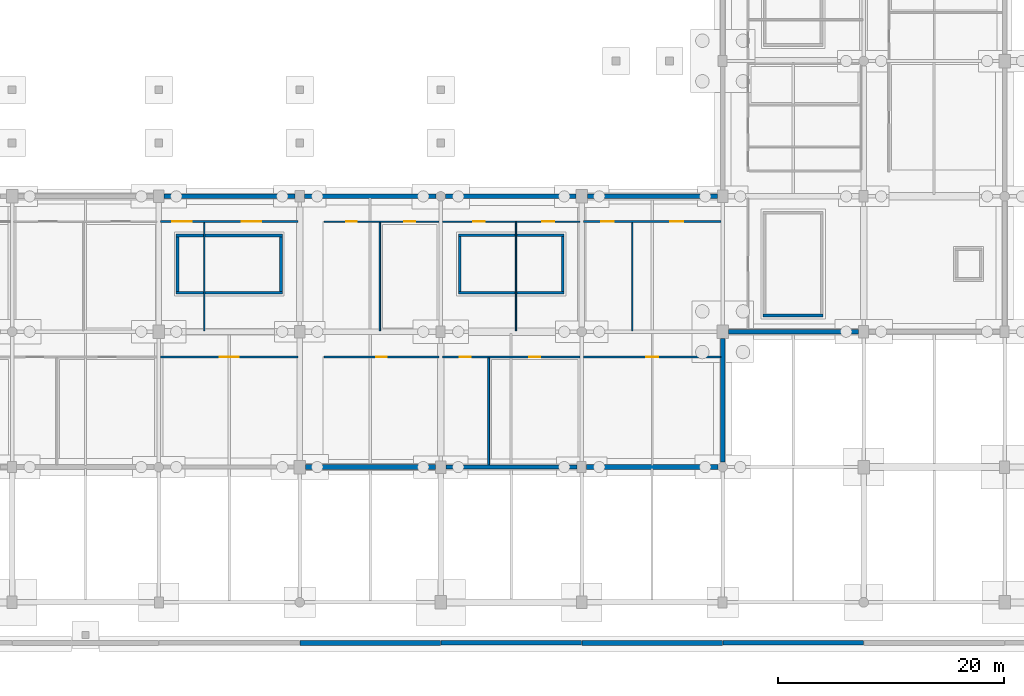
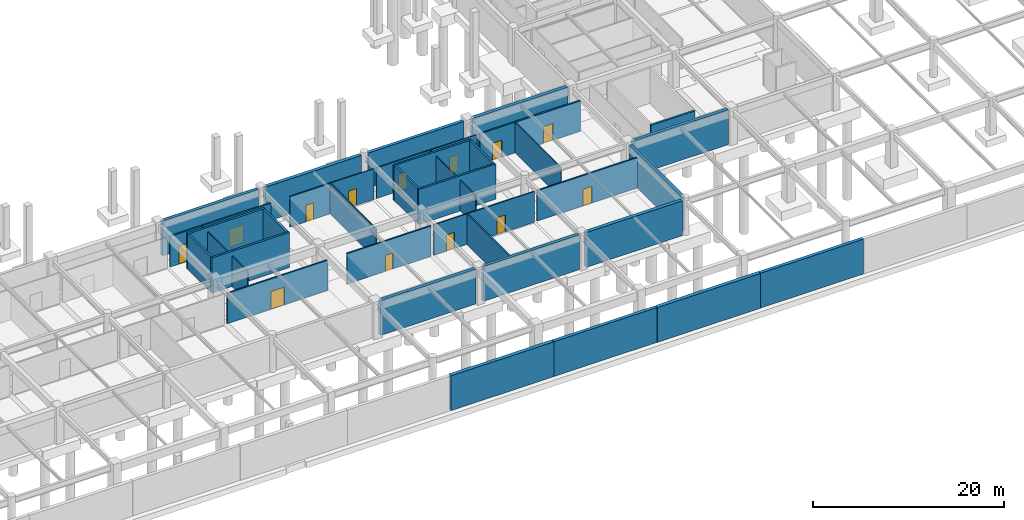
# One storey, part 30 of 56: 35 walls, 13 doors, 13 openings.
"""IFC4 building model written with IfcOpenShell, lengths in metres."""

from ifc_helpers import new_model, si_unit, direction, frame, frame_2d, origin, place, context, subcontext, project, spatial, rectangle, extrude, material, layer, layer_set, type_object, element, fill, save


model = new_model("IFC4")

# Units and contexts
model_context = context("Model", 3, precision=1e-05, world=origin(), true_north=direction((0.0, 1.0)))
body_context = subcontext(model_context, "Body", "Model", "MODEL_VIEW")
ifc_project = project(units=[si_unit("LENGTHUNIT", "METRE"), si_unit("AREAUNIT", "SQUARE_METRE"), si_unit("VOLUMEUNIT", "CUBIC_METRE"), si_unit("PLANEANGLEUNIT", "RADIAN"), si_unit("MASSUNIT", "GRAM", prefix="KILO")], contexts=[model_context])

# Site, building, storey
site_placement = place(None, origin())
site = spatial("IfcSite", under=ifc_project, at=site_placement, CompositionType="ELEMENT")
building_placement = place(site_placement, origin())
building = spatial("IfcBuilding", under=site, at=building_placement, Name="Kazenohara Klinker Stadium", CompositionType="ELEMENT")
storey_placement = place(building_placement, frame((0.0, 0.0, -4.800048828125)))
storey = spatial("IfcBuildingStorey", under=building, at=storey_placement, Name="B01", CompositionType="ELEMENT", Elevation=-4.800048828125)

# Walls
ifc_material_1 = material(Name="Concrete C40/50", Category="concrete")
ifc_layer_1 = layer(ifc_material_1, 0.39990234375)
ifc_layer_set_1 = layer_set([ifc_layer_1], Name="Concrete C40/50")
wall_type_1 = type_object("IfcWallType", Name="WAL-B01-PLINTH400", PredefinedType="USERDEFINED", material=ifc_layer_set_1)
for number, where, z_axis, x_axis, name in (
    (1, (150.02001953125, -3.580078125, 0.0), (0.0, 0.0, 1.0), (1.0, 0.0, 0.0), "Street plinth retaining wall RW04 South-13"),
    (2, (175.02001953125, -3.580078125, 0.0), (0.0, 0.0, 1.0), (1.0, 0.0, 0.0), "Street plinth retaining wall RW04 South-15"),
):
    element("IfcWall", number, at=place(storey_placement, frame(where, z_axis=z_axis, x_axis=x_axis)), inside=storey, type_object=wall_type_1, Name=name, ObjectType="RETAINING WALL", PredefinedType="USERDEFINED", context=body_context, shape_type="SweptSolid", body=[
        extrude(rectangle(XDim=12.4599609375, YDim=0.39990234375, at=frame_2d((6.22998046875, 0.0))), origin(), (0.0, 0.0, 1.0), 4.4599609375),
    ])
ifc_layer_2 = layer(ifc_material_1, 0.43994140625)
ifc_layer_set_2 = layer_set([ifc_layer_2], Name="Concrete C40/50")
wall_type_2 = type_object("IfcWallType", Name="WAL-B01-PLINTH440", PredefinedType="USERDEFINED", material=ifc_layer_set_2)
for number, where, z_axis, x_axis, name in (
    (3, (137.52001953125, -3.580078125, 0.0), (0.0, 0.0, 1.0), (1.0, 0.0, 0.0), "Street plinth retaining wall RW03 South-12"),
    (4, (162.52001953125, -3.580078125, 0.0), (0.0, 0.0, 1.0), (1.0, 0.0, 0.0), "Street plinth retaining wall RW03 South-14"),
):
    element("IfcWall", number, at=place(storey_placement, frame(where, z_axis=z_axis, x_axis=x_axis)), inside=storey, type_object=wall_type_2, Name=name, ObjectType="RETAINING WALL", PredefinedType="USERDEFINED", context=body_context, shape_type="SweptSolid", body=[
        extrude(rectangle(XDim=12.4599609375, YDim=0.43994140625, at=frame_2d((6.22998046875, 0.0))), origin(), (0.0, 0.0, 1.0), 4.4599609375),
    ])
ifc_layer_3 = layer(ifc_material_1, 0.3798828125)
ifc_layer_set_3 = layer_set([ifc_layer_3], Name="Concrete C40/50")
wall_type_3 = type_object("IfcWallType", Name="WAL-B01-RET380", PredefinedType="STANDARD", material=ifc_layer_set_3)
for number, where, z_axis, x_axis, name in (
    (5, (125.4541015625, 36.0, 0.0), (0.0, 0.0, 1.0), (1.0, 0.0, 0.0), "Basement perimeter retaining wall RW02 X-10-03"),
    (6, (150.4541015625, 12.0, 0.0), (0.0, 0.0, 1.0), (1.0, 0.0, 0.0), "Basement perimeter retaining wall RW02 X-12-01"),
):
    element("IfcWall", number, at=place(storey_placement, frame(where, z_axis=z_axis, x_axis=x_axis)), inside=storey, type_object=wall_type_3, Name=name, PredefinedType="STANDARD", context=body_context, shape_type="SweptSolid", body=[
        extrude(rectangle(XDim=11.641845703125, YDim=0.3798828125, at=frame_2d((5.82080078125, 0.0))), origin(), (0.0, 0.0, 1.0), 4.4599609375),
    ])
wall_1_placement = place(storey_placement, frame((150.428955078125, 36.0, 0.0), z_axis=(0.0, 0.0, 1.0), x_axis=(1.0, 0.0, 0.0)))
element("IfcWall", 7, at=wall_1_placement, inside=storey, type_object=wall_type_3, Name="Basement perimeter retaining wall RW02 X-12-03", PredefinedType="STANDARD", context=body_context, shape_type="SweptSolid", body=[
    extrude(rectangle(XDim=11.567138671875, YDim=0.3798828125, at=frame_2d((5.78369140625, 0.0))), origin(), (0.0, 0.0, 1.0), 4.4599609375),
])
wall_2_placement = place(storey_placement, frame((175.0, 12.428955078125, 0.0), z_axis=(0.0, 0.0, 1.0), x_axis=(0.0, 1.0, 0.0)))
element("IfcWall", 8, at=wall_2_placement, inside=storey, type_object=wall_type_3, Name="Basement perimeter retaining wall RW02 Y-14-01", PredefinedType="STANDARD", context=body_context, shape_type="SweptSolid", body=[
    extrude(rectangle(XDim=10.967041015625, YDim=0.3798828125, at=frame_2d((5.4833984375, 0.0))), origin(), (0.0, 0.0, 1.0), 4.4599609375),
])
ifc_layer_4 = layer(ifc_material_1, 0.419921875)
ifc_layer_set_4 = layer_set([ifc_layer_4], Name="Concrete C40/50")
wall_type_4 = type_object("IfcWallType", Name="WAL-B01-RET420", PredefinedType="STANDARD", material=ifc_layer_set_4)
wall_3_placement = place(storey_placement, frame((138.00390625, 12.0, 0.0), z_axis=(0.0, 0.0, 1.0), x_axis=(1.0, 0.0, 0.0)))
element("IfcWall", 9, at=wall_3_placement, inside=storey, type_object=wall_type_4, Name="Basement perimeter retaining wall RW01 X-11-01", PredefinedType="STANDARD", context=body_context, shape_type="SweptSolid", body=[
    extrude(rectangle(XDim=11.5419921875, YDim=0.419921875, at=frame_2d((5.77099609375, 0.0))), origin(), (0.0, 0.0, 1.0), 4.4599609375),
])
for number, where, z_axis, x_axis, name in (
    (10, (137.904052734375, 36.0, 0.0), (0.0, 0.0, 1.0), (1.0, 0.0, 0.0), "Basement perimeter retaining wall RW01 X-11-03"),
    (11, (162.904052734375, 12.0, 0.0), (0.0, 0.0, 1.0), (1.0, 0.0, 0.0), "Basement perimeter retaining wall RW01 X-13-01"),
):
    element("IfcWall", number, at=place(storey_placement, frame(where, z_axis=z_axis, x_axis=x_axis)), inside=storey, type_object=wall_type_4, Name=name, PredefinedType="STANDARD", context=body_context, shape_type="SweptSolid", body=[
        extrude(rectangle(XDim=11.6669921875, YDim=0.419921875, at=frame_2d((5.83349609375, 0.0))), origin(), (0.0, 0.0, 1.0), 4.4599609375),
    ])
for number, where, z_axis, x_axis, name in (
    (12, (163.00390625, 36.0, 0.0), (0.0, 0.0, 1.0), (1.0, 0.0, 0.0), "Basement perimeter retaining wall RW01 X-13-03"),
    (13, (175.50390625, 24.0, 0.0), (0.0, 0.0, 1.0), (1.0, 0.0, 0.0), "Basement perimeter retaining wall RW01 X-14-02"),
):
    element("IfcWall", number, at=place(storey_placement, frame(where, z_axis=z_axis, x_axis=x_axis)), inside=storey, type_object=wall_type_4, Name=name, PredefinedType="STANDARD", context=body_context, shape_type="SweptSolid", body=[
        extrude(rectangle(XDim=11.5419921875, YDim=0.419921875, at=frame_2d((5.77099609375, 0.0))), origin(), (0.0, 0.0, 1.0), 4.4599609375),
    ])
ifc_layer_5 = layer(ifc_material_1, 0.22998046875)
ifc_layer_set_5 = layer_set([ifc_layer_5], Name="Concrete C40/50")
wall_type_5 = type_object("IfcWallType", Name="WAL-CORE-230", PredefinedType="SHEAR", material=ifc_layer_set_5)
wall_4_placement = place(storey_placement, frame((178.590087890625, 25.43505859375, 0.0), z_axis=(0.0, 0.0, 1.0), x_axis=(1.0, 0.0, 0.0)))
element("IfcWall", 14, at=wall_4_placement, inside=storey, type_object=wall_type_5, Name="Stairwell shear wall ST16 B01 South", PredefinedType="SHEAR", context=body_context, shape_type="SweptSolid", body=[
    extrude(rectangle(XDim=5.31982421875, YDim=0.22998046875, at=frame_2d((2.659912109375, 0.0))), origin(), (0.0, 0.0, 1.0), 4.5),
])
for number, where, z_axis, x_axis, name in (
    (15, (151.570068359375, 27.455078125, 0.0), (0.0, 0.0, 1.0), (1.0, 0.0, 0.0), "Stairwell shear wall ST28 B01 South"),
    (16, (151.570068359375, 32.544921875, 0.0), (0.0, 0.0, 1.0), (1.0, 0.0, 0.0), "Stairwell shear wall ST28 B01 North"),
):
    element("IfcWall", number, at=place(storey_placement, frame(where, z_axis=z_axis, x_axis=x_axis)), inside=storey, type_object=wall_type_5, Name=name, PredefinedType="SHEAR", context=body_context, shape_type="SweptSolid", body=[
        extrude(rectangle(XDim=9.35986328125, YDim=0.22998046875, at=frame_2d((4.679931640625, 0.0))), origin(), (0.0, 0.0, 1.0), 4.5),
    ])
for number, where, z_axis, x_axis, name in (
    (17, (151.68505859375, 27.570068359375, 0.0), (0.0, 0.0, 1.0), (0.0, 1.0, 0.0), "Stairwell shear wall ST28 B01 West"),
    (18, (160.81494140625, 27.570068359375, 0.0), (0.0, 0.0, 1.0), (0.0, 1.0, 0.0), "Stairwell shear wall ST28 B01 East"),
):
    element("IfcWall", number, at=place(storey_placement, frame(where, z_axis=z_axis, x_axis=x_axis)), inside=storey, type_object=wall_type_5, Name=name, PredefinedType="SHEAR", context=body_context, shape_type="SweptSolid", body=[
        extrude(rectangle(XDim=4.85986328125, YDim=0.22998046875, at=frame_2d((2.429931640625, 0.0))), origin(), (0.0, 0.0, 1.0), 4.5),
    ])
ifc_layer_6 = layer(ifc_material_1, 0.25)
ifc_layer_set_6 = layer_set([ifc_layer_6], Name="Concrete C40/50")
wall_type_6 = type_object("IfcWallType", Name="WAL-CORE-250", PredefinedType="SHEAR", material=ifc_layer_set_6)
for number, where, z_axis, x_axis, name in (
    (19, (126.550048828125, 27.455078125, 0.0), (0.0, 0.0, 1.0), (1.0, 0.0, 0.0), "Stairwell shear wall ST27 B01 South"),
    (20, (126.550048828125, 32.544921875, 0.0), (0.0, 0.0, 1.0), (1.0, 0.0, 0.0), "Stairwell shear wall ST27 B01 North"),
):
    element("IfcWall", number, at=place(storey_placement, frame(where, z_axis=z_axis, x_axis=x_axis)), inside=storey, type_object=wall_type_6, Name=name, PredefinedType="SHEAR", context=body_context, shape_type="SweptSolid", body=[
        extrude(rectangle(XDim=9.39990234375, YDim=0.25, at=frame_2d((4.699951171875, 0.0))), origin(), (0.0, 0.0, 1.0), 4.5),
    ])
for number, where, z_axis, x_axis, name in (
    (21, (126.675048828125, 27.580078125, 0.0), (0.0, 0.0, 1.0), (0.0, 1.0, 0.0), "Stairwell shear wall ST27 B01 West"),
    (22, (135.824951171875, 27.580078125, 0.0), (0.0, 0.0, 1.0), (0.0, 1.0, 0.0), "Stairwell shear wall ST27 B01 East"),
):
    element("IfcWall", number, at=place(storey_placement, frame(where, z_axis=z_axis, x_axis=x_axis)), inside=storey, type_object=wall_type_6, Name=name, PredefinedType="SHEAR", context=body_context, shape_type="SweptSolid", body=[
        extrude(rectangle(XDim=4.83984375, YDim=0.25, at=frame_2d((2.419921875, 0.0))), origin(), (0.0, 0.0, 1.0), 4.5),
    ])
ifc_material_2 = material(Name="Fire-rated gypsum board on acoustic studs", Category="gypsum")
ifc_layer_7 = layer(ifc_material_2, 0.110107421875)
ifc_layer_set_7 = layer_set([ifc_layer_7], Name="Fire-rated gypsum board on acoustic studs")
wall_type_7 = type_object("IfcWallType", Name="WAL-INT-P110", PredefinedType="PARTITIONING", material=ifc_layer_set_7)
wall_5_placement = place(storey_placement, frame((129.033203125, 24.080078125, 0.0), z_axis=(0.0, 0.0, 1.0), x_axis=(0.0, 1.0, 0.0)))
element("IfcWall", 23, at=wall_5_placement, inside=storey, type_object=wall_type_7, Name="Interior partition wall PT01 SPC-B01-10-02-1-2", PredefinedType="PARTITIONING", context=body_context, shape_type="SweptSolid", body=[
    extrude(rectangle(XDim=9.579833984375, YDim=0.110107421875, at=frame_2d((4.7900390625, 0.0))), origin(), (0.0, 0.0, 1.0), 3.920166015625),
])

# Wall, openings, doors
wall_6_placement = place(storey_placement, frame((139.669921875, 33.760009765625, 0.0), z_axis=(0.0, 0.0, 1.0), x_axis=(1.0, 0.0, 0.0)))
wall_6 = element("IfcWall", 24, at=wall_6_placement, inside=storey, type_object=wall_type_7, Name="Interior partition wall PT01 SPC-B01-11-02-1-1", PredefinedType="PARTITIONING", context=body_context, shape_type="SweptSolid", body=[
    extrude(rectangle(XDim=10.170166015625, YDim=0.110107421875, at=frame_2d((5.0849609375, 0.0))), origin(), (0.0, 0.0, 1.0), 3.920166015625),
])
opening_1_placement = place(wall_6_placement, frame((2.88623046875, 0.0, 0.0), z_axis=(0.0, 0.0, 1.0), x_axis=(-1.0, 0.0, 0.0)))
opening_1 = element("IfcOpeningElement", 25, at=opening_1_placement, cuts=wall_6, Name="Opening ID02", PredefinedType="OPENING", context=body_context, shape_type="SweptSolid", body=[
    extrude(rectangle(XDim=0.919921875, YDim=2.10009765625, at=frame_2d((0.4599609375, 1.050048828125))), frame((0.0, 0.06494140625, 0.0), z_axis=(0.0, -1.0, 0.0), x_axis=(1.0, 0.0, 0.0)), (0.0, 0.0, 1.0), 0.130126953125),
])
opening_2_placement = place(wall_6_placement, frame((8.066162109375, 0.0, 0.0), z_axis=(0.0, 0.0, 1.0), x_axis=(-1.0, 0.0, 0.0)))
opening_2 = element("IfcOpeningElement", 26, at=opening_2_placement, cuts=wall_6, Name="Opening ID03", PredefinedType="OPENING", context=body_context, shape_type="SweptSolid", body=[
    extrude(rectangle(XDim=0.949951171875, YDim=2.1201171875, at=frame_2d((0.47509765625, 1.06005859375))), frame((0.0, 0.06494140625, 0.0), z_axis=(0.0, -1.0, 0.0), x_axis=(1.0, 0.0, 0.0)), (0.0, 0.0, 1.0), 0.130126953125),
])
ifc_material_3 = material(Name="Solid-core Hokkaido oak fire door", Category="wood")
door_type_1 = type_object("IfcDoorType", Name="DR-INT-02", OperationType="NOTDEFINED", PredefinedType="DOOR", material=ifc_material_3)
door_1_placement = place(opening_1_placement, origin())
door_1 = element("IfcDoor", 27, at=door_1_placement, inside=storey, type_object=door_type_1, Name="Interior door ID02 Indoor Turf Sprint Training Arena B01-1102A", OperationType="SINGLE_SWING_LEFT", OverallHeight=2.10009765625, OverallWidth=0.919921875, PredefinedType="DOOR", context=body_context, shape_type="SweptSolid", body=[
    extrude(rectangle(XDim=0.919921875, YDim=2.10009765625, at=frame_2d((0.4599609375, 1.050048828125))), frame((0.0, 0.02490234375, 0.0), z_axis=(0.0, -1.0, 0.0), x_axis=(1.0, 0.0, 0.0)), (0.0, 0.0, 1.0), 0.050048828125),
])
fill(opening_1, door_1)
door_type_2 = type_object("IfcDoorType", Name="DR-INT-03", OperationType="NOTDEFINED", PredefinedType="DOOR", material=ifc_material_3)
door_2_placement = place(opening_2_placement, origin())
door_2 = element("IfcDoor", 28, at=door_2_placement, inside=storey, type_object=door_type_2, Name="Interior door ID03 Match Officials Dressing Room B01-1102B", OperationType="SINGLE_SWING_RIGHT", OverallHeight=2.1201171875, OverallWidth=0.949951171875, PredefinedType="DOOR", context=body_context, shape_type="SweptSolid", body=[
    extrude(rectangle(XDim=0.949951171875, YDim=2.1201171875, at=frame_2d((0.47509765625, 1.06005859375))), frame((0.0, 0.02490234375, 0.0), z_axis=(0.0, -1.0, 0.0), x_axis=(1.0, 0.0, 0.0)), (0.0, 0.0, 1.0), 0.050048828125),
])
fill(opening_2, door_2)

wall_7_placement = place(storey_placement, frame((150.159912109375, 33.760009765625, 0.0), z_axis=(0.0, 0.0, 1.0), x_axis=(1.0, 0.0, 0.0)))
wall_7 = element("IfcWall", 29, at=wall_7_placement, inside=storey, type_object=wall_type_7, Name="Interior partition wall PT01 SPC-B01-12-02-1-1", PredefinedType="PARTITIONING", context=body_context, shape_type="SweptSolid", body=[
    extrude(rectangle(XDim=12.18017578125, YDim=0.110107421875, at=frame_2d((6.090087890625, 0.0))), origin(), (0.0, 0.0, 1.0), 3.920166015625),
])
opening_3_placement = place(wall_7_placement, frame((3.733154296875, 0.0, 0.0), z_axis=(0.0, 0.0, 1.0), x_axis=(-1.0, 0.0, 0.0)))
opening_3 = element("IfcOpeningElement", 30, at=opening_3_placement, cuts=wall_7, Name="Opening ID06", PredefinedType="OPENING", context=body_context, shape_type="SweptSolid", body=[
    extrude(rectangle(XDim=1.030029296875, YDim=2.1201171875, at=frame_2d((0.51513671875, 1.06005859375))), frame((0.0, 0.06494140625, 0.0), z_axis=(0.0, -1.0, 0.0), x_axis=(1.0, 0.0, 0.0)), (0.0, 0.0, 1.0), 0.130126953125),
])
opening_4_placement = place(wall_7_placement, frame((9.918212890625, 0.0, 0.0), z_axis=(0.0, 0.0, 1.0), x_axis=(-1.0, 0.0, 0.0)))
opening_4 = element("IfcOpeningElement", 31, at=opening_4_placement, cuts=wall_7, Name="Opening ID07", PredefinedType="OPENING", context=body_context, shape_type="SweptSolid", body=[
    extrude(rectangle(XDim=1.06005859375, YDim=2.14990234375, at=frame_2d((0.530029296875, 1.074951171875))), frame((0.0, 0.06494140625, 0.0), z_axis=(0.0, -1.0, 0.0), x_axis=(1.0, 0.0, 0.0)), (0.0, 0.0, 1.0), 0.130126953125),
])
door_type_3 = type_object("IfcDoorType", Name="DR-INT-06", OperationType="NOTDEFINED", PredefinedType="DOOR", material=ifc_material_3)
door_3_placement = place(opening_3_placement, origin())
door_3 = element("IfcDoor", 32, at=door_3_placement, inside=storey, type_object=door_type_3, Name="Interior door ID06 Visiting-Club Athlete Changing Room B01-1202A", OperationType="SINGLE_SWING_LEFT", OverallHeight=2.1201171875, OverallWidth=1.030029296875, PredefinedType="DOOR", context=body_context, shape_type="SweptSolid", body=[
    extrude(rectangle(XDim=1.030029296875, YDim=2.1201171875, at=frame_2d((0.51513671875, 1.06005859375))), frame((0.0, 0.02490234375, 0.0), z_axis=(0.0, -1.0, 0.0), x_axis=(1.0, 0.0, 0.0)), (0.0, 0.0, 1.0), 0.050048828125),
])
fill(opening_3, door_3)
door_type_4 = type_object("IfcDoorType", Name="DR-INT-07", OperationType="NOTDEFINED", PredefinedType="DOOR", material=ifc_material_3)
door_4_placement = place(opening_4_placement, origin())
door_4 = element("IfcDoor", 33, at=door_4_placement, inside=storey, type_object=door_type_4, Name="Interior door ID07 Sports Hydrotherapy Recovery Clinic B01-1202B", OperationType="SINGLE_SWING_RIGHT", OverallHeight=2.14990234375, OverallWidth=1.06005859375, PredefinedType="DOOR", context=body_context, shape_type="SweptSolid", body=[
    extrude(rectangle(XDim=1.06005859375, YDim=2.14990234375, at=frame_2d((0.530029296875, 1.074951171875))), frame((0.0, 0.02490234375, 0.0), z_axis=(0.0, -1.0, 0.0), x_axis=(1.0, 0.0, 0.0)), (0.0, 0.0, 1.0), 0.050048828125),
])
fill(opening_4, door_4)

# Walls
wall_8_placement = place(storey_placement, frame((166.9716796875, 24.080078125, 0.0), z_axis=(0.0, 0.0, 1.0), x_axis=(0.0, 1.0, 0.0)))
element("IfcWall", 34, at=wall_8_placement, inside=storey, type_object=wall_type_7, Name="Interior partition wall PT01 SPC-B01-13-02-1-2", PredefinedType="PARTITIONING", context=body_context, shape_type="SweptSolid", body=[
    extrude(rectangle(XDim=9.579833984375, YDim=0.110107421875, at=frame_2d((4.7900390625, 0.0))), origin(), (0.0, 0.0, 1.0), 3.920166015625),
])
ifc_layer_8 = layer(ifc_material_2, 0.1201171875)
ifc_layer_set_8 = layer_set([ifc_layer_8], Name="Fire-rated gypsum board on acoustic studs")
wall_type_8 = type_object("IfcWallType", Name="WAL-INT-P120", PredefinedType="PARTITIONING", material=ifc_layer_set_8)
for number, where, z_axis, x_axis, name in (
    (35, (144.602294921875, 24.080078125, 0.0), (0.0, 0.0, 1.0), (0.0, 1.0, 0.0), "Interior partition wall PT02 SPC-B01-11-02-1-2"),
    (36, (156.67626953125, 24.080078125, 0.0), (0.0, 0.0, 1.0), (0.0, 1.0, 0.0), "Interior partition wall PT02 SPC-B01-12-02-1-2"),
):
    element("IfcWall", number, at=place(storey_placement, frame(where, z_axis=z_axis, x_axis=x_axis)), inside=storey, type_object=wall_type_8, Name=name, PredefinedType="PARTITIONING", context=body_context, shape_type="SweptSolid", body=[
        extrude(rectangle(XDim=9.619873046875, YDim=0.1201171875, at=frame_2d((4.81005859375, 0.0))), origin(), (0.0, 0.0, 1.0), 3.920166015625),
    ])

# Wall, opening, door
ifc_layer_9 = layer(ifc_material_2, 0.14990234375)
ifc_layer_set_9 = layer_set([ifc_layer_9], Name="Fire-rated gypsum board on acoustic studs")
wall_type_9 = type_object("IfcWallType", Name="WAL-INT-P150", PredefinedType="PARTITIONING", material=ifc_layer_set_9)
wall_9_placement = place(storey_placement, frame((125.159912109375, 21.760009765625, 0.0), z_axis=(0.0, 0.0, 1.0), x_axis=(1.0, 0.0, 0.0)))
wall_9 = element("IfcWall", 37, at=wall_9_placement, inside=storey, type_object=wall_type_9, Name="Interior partition wall PT04 SPC-B01-10-01-1-1", PredefinedType="PARTITIONING", context=body_context, shape_type="SweptSolid", body=[
    extrude(rectangle(XDim=12.18017578125, YDim=0.14990234375, at=frame_2d((6.090087890625, 0.0))), origin(), (0.0, 0.0, 1.0), 3.920166015625),
])
opening_5_placement = place(wall_9_placement, frame((6.914794921875, 0.0, 0.0), z_axis=(0.0, 0.0, 1.0), x_axis=(-1.0, 0.0, 0.0)))
opening_5 = element("IfcOpeningElement", 38, at=opening_5_placement, cuts=wall_9, Name="Opening ID24", PredefinedType="OPENING", context=body_context, shape_type="SweptSolid", body=[
    extrude(rectangle(XDim=1.64990234375, YDim=2.280029296875, at=frame_2d((0.824951171875, 1.14013671875))), frame((0.0, 0.0849609375, 0.0), z_axis=(0.0, -1.0, 0.0), x_axis=(1.0, 0.0, 0.0)), (0.0, 0.0, 1.0), 0.169921875),
])
ifc_material_4 = material(Name="Painted steel plant fire door", Category="steel")
door_type_5 = type_object("IfcDoorType", Name="DR-INT-24", OperationType="NOTDEFINED", PredefinedType="DOOR", material=ifc_material_4)
door_5_placement = place(opening_5_placement, origin())
door_5 = element("IfcDoor", 39, at=door_5_placement, inside=storey, type_object=door_type_5, Name="Interior door ID24 First-Team Athlete Changing Room B01-1001A", OperationType="SINGLE_SWING_LEFT", OverallHeight=2.280029296875, OverallWidth=1.64990234375, PredefinedType="DOOR", context=body_context, shape_type="SweptSolid", body=[
    extrude(rectangle(XDim=1.64990234375, YDim=2.280029296875, at=frame_2d((0.824951171875, 1.14013671875))), frame((0.0, 0.02490234375, 0.0), z_axis=(0.0, -1.0, 0.0), x_axis=(1.0, 0.0, 0.0)), (0.0, 0.0, 1.0), 0.050048828125),
])
fill(opening_5, door_5)

wall_10_placement = place(storey_placement, frame((139.669921875, 21.760009765625, 0.0), z_axis=(0.0, 0.0, 1.0), x_axis=(1.0, 0.0, 0.0)))
wall_10 = element("IfcWall", 40, at=wall_10_placement, inside=storey, type_object=wall_type_9, Name="Interior partition wall PT04 SPC-B01-11-01-1-1", PredefinedType="PARTITIONING", context=body_context, shape_type="SweptSolid", body=[
    extrude(rectangle(XDim=10.170166015625, YDim=0.14990234375, at=frame_2d((5.0849609375, 0.0))), origin(), (0.0, 0.0, 1.0), 3.920166015625),
])
opening_6_placement = place(wall_10_placement, frame((5.534912109375, 0.0, 0.0), z_axis=(0.0, 0.0, 1.0), x_axis=(-1.0, 0.0, 0.0)))
opening_6 = element("IfcOpeningElement", 41, at=opening_6_placement, cuts=wall_10, Name="Opening ID01", PredefinedType="OPENING", context=body_context, shape_type="SweptSolid", body=[
    extrude(rectangle(XDim=0.89990234375, YDim=2.06005859375, at=frame_2d((0.449951171875, 1.030029296875))), frame((0.0, 0.0849609375, 0.0), z_axis=(0.0, -1.0, 0.0), x_axis=(1.0, 0.0, 0.0)), (0.0, 0.0, 1.0), 0.169921875),
])
door_type_6 = type_object("IfcDoorType", Name="DR-INT-01", OperationType="NOTDEFINED", PredefinedType="DOOR", material=ifc_material_3)
door_6_placement = place(opening_6_placement, origin())
door_6 = element("IfcDoor", 42, at=door_6_placement, inside=storey, type_object=door_type_6, Name="Interior door ID01 Mixed Zone Broadcast Interview Studio B01-1101A", OperationType="SINGLE_SWING_RIGHT", OverallHeight=2.06005859375, OverallWidth=0.89990234375, PredefinedType="DOOR", context=body_context, shape_type="SweptSolid", body=[
    extrude(rectangle(XDim=0.89990234375, YDim=2.06005859375, at=frame_2d((0.449951171875, 1.030029296875))), frame((0.0, 0.02490234375, 0.0), z_axis=(0.0, -1.0, 0.0), x_axis=(1.0, 0.0, 0.0)), (0.0, 0.0, 1.0), 0.050048828125),
])
fill(opening_6, door_6)

# Wall, openings, doors
wall_11_placement = place(storey_placement, frame((150.159912109375, 21.760009765625, 0.0), z_axis=(0.0, 0.0, 1.0), x_axis=(1.0, 0.0, 0.0)))
wall_11 = element("IfcWall", 43, at=wall_11_placement, inside=storey, type_object=wall_type_9, Name="Interior partition wall PT04 SPC-B01-12-01-1-1", PredefinedType="PARTITIONING", context=body_context, shape_type="SweptSolid", body=[
    extrude(rectangle(XDim=12.18017578125, YDim=0.14990234375, at=frame_2d((6.090087890625, 0.0))), origin(), (0.0, 0.0, 1.0), 3.920166015625),
])
opening_7_placement = place(wall_11_placement, frame((2.49609375, 0.0, 0.0), z_axis=(0.0, 0.0, 1.0), x_axis=(-1.0, 0.0, 0.0)))
opening_7 = element("IfcOpeningElement", 44, at=opening_7_placement, cuts=wall_11, Name="Opening ID04", PredefinedType="OPENING", context=body_context, shape_type="SweptSolid", body=[
    extrude(rectangle(XDim=0.97998046875, YDim=2.10009765625, at=frame_2d((0.489990234375, 1.050048828125))), frame((0.0, 0.0849609375, 0.0), z_axis=(0.0, -1.0, 0.0), x_axis=(1.0, 0.0, 0.0)), (0.0, 0.0, 1.0), 0.169921875),
])
opening_8_placement = place(wall_11_placement, frame((8.67626953125, 0.0, 0.0), z_axis=(0.0, 0.0, 1.0), x_axis=(-1.0, 0.0, 0.0)))
opening_8 = element("IfcOpeningElement", 45, at=opening_8_placement, cuts=wall_11, Name="Opening ID05", PredefinedType="OPENING", context=body_context, shape_type="SweptSolid", body=[
    extrude(rectangle(XDim=1.0, YDim=2.139892578125, at=frame_2d((0.5, 1.06982421875))), frame((0.0, 0.0849609375, 0.0), z_axis=(0.0, -1.0, 0.0), x_axis=(1.0, 0.0, 0.0)), (0.0, 0.0, 1.0), 0.169921875),
])
door_type_7 = type_object("IfcDoorType", Name="DR-INT-04", OperationType="NOTDEFINED", PredefinedType="DOOR", material=ifc_material_3)
door_7_placement = place(opening_7_placement, origin())
door_7 = element("IfcDoor", 46, at=door_7_placement, inside=storey, type_object=door_type_7, Name="Interior door ID04 Emergency Diesel Generator Plant B01-1201A", OperationType="SINGLE_SWING_LEFT", OverallHeight=2.10009765625, OverallWidth=0.97998046875, PredefinedType="DOOR", context=body_context, shape_type="SweptSolid", body=[
    extrude(rectangle(XDim=0.97998046875, YDim=2.10009765625, at=frame_2d((0.489990234375, 1.050048828125))), frame((0.0, 0.02490234375, 0.0), z_axis=(0.0, -1.0, 0.0), x_axis=(1.0, 0.0, 0.0)), (0.0, 0.0, 1.0), 0.050048828125),
])
fill(opening_7, door_7)
door_type_8 = type_object("IfcDoorType", Name="DR-INT-05", OperationType="NOTDEFINED", PredefinedType="DOOR", material=ifc_material_3)
door_8_placement = place(opening_8_placement, origin())
door_8 = element("IfcDoor", 47, at=door_8_placement, inside=storey, type_object=door_type_8, Name="Interior door ID05 Doping Control Medical Laboratory B01-1201B", OperationType="SINGLE_SWING_RIGHT", OverallHeight=2.139892578125, OverallWidth=1.0, PredefinedType="DOOR", context=body_context, shape_type="SweptSolid", body=[
    extrude(rectangle(XDim=1.0, YDim=2.139892578125, at=frame_2d((0.5, 1.06982421875))), frame((0.0, 0.02490234375, 0.0), z_axis=(0.0, -1.0, 0.0), x_axis=(1.0, 0.0, 0.0)), (0.0, 0.0, 1.0), 0.050048828125),
])
fill(opening_8, door_8)

# Wall, opening, door
wall_12_placement = place(storey_placement, frame((162.659912109375, 21.760009765625, 0.0), z_axis=(0.0, 0.0, 1.0), x_axis=(1.0, 0.0, 0.0)))
wall_12 = element("IfcWall", 48, at=wall_12_placement, inside=storey, type_object=wall_type_9, Name="Interior partition wall PT04 SPC-B01-13-01-1-1", PredefinedType="PARTITIONING", context=body_context, shape_type="SweptSolid", body=[
    extrude(rectangle(XDim=12.148193359375, YDim=0.14990234375, at=frame_2d((6.07421875, 0.0))), origin(), (0.0, 0.0, 1.0), 3.920166015625),
])
opening_9_placement = place(wall_12_placement, frame((6.635009765625, 0.0, 0.0), z_axis=(0.0, 0.0, 1.0), x_axis=(-1.0, 0.0, 0.0)))
opening_9 = element("IfcOpeningElement", 49, at=opening_9_placement, cuts=wall_12, Name="Opening ID08", PredefinedType="OPENING", context=body_context, shape_type="SweptSolid", body=[
    extrude(rectangle(XDim=1.090087890625, YDim=2.159912109375, at=frame_2d((0.544921875, 1.080078125))), frame((0.0, 0.0849609375, 0.0), z_axis=(0.0, -1.0, 0.0), x_axis=(1.0, 0.0, 0.0)), (0.0, 0.0, 1.0), 0.169921875),
])
door_type_9 = type_object("IfcDoorType", Name="DR-INT-08", OperationType="NOTDEFINED", PredefinedType="DOOR", material=ifc_material_3)
door_9_placement = place(opening_9_placement, origin())
door_9 = element("IfcDoor", 50, at=door_9_placement, inside=storey, type_object=door_type_9, Name="Interior door ID08 Match Officials Dressing Room B01-1301A", OperationType="SINGLE_SWING_LEFT", OverallHeight=2.159912109375, OverallWidth=1.090087890625, PredefinedType="DOOR", context=body_context, shape_type="SweptSolid", body=[
    extrude(rectangle(XDim=1.090087890625, YDim=2.159912109375, at=frame_2d((0.544921875, 1.080078125))), frame((0.0, 0.02490234375, 0.0), z_axis=(0.0, -1.0, 0.0), x_axis=(1.0, 0.0, 0.0)), (0.0, 0.0, 1.0), 0.050048828125),
])
fill(opening_9, door_9)

# Wall
ifc_layer_10 = layer(ifc_material_2, 0.169921875)
ifc_layer_set_10 = layer_set([ifc_layer_10], Name="Fire-rated gypsum board on acoustic studs")
wall_type_10 = type_object("IfcWallType", Name="WAL-INT-P170", PredefinedType="PARTITIONING", material=ifc_layer_set_10)
wall_13_placement = place(storey_placement, frame((154.25244140625, 12.19189453125, 0.0), z_axis=(0.0, 0.0, 1.0), x_axis=(0.0, 1.0, 0.0)))
element("IfcWall", 51, at=wall_13_placement, inside=storey, type_object=wall_type_10, Name="Interior partition wall PT05 SPC-B01-12-01-1-2", PredefinedType="PARTITIONING", context=body_context, shape_type="SweptSolid", body=[
    extrude(rectangle(XDim=9.488037109375, YDim=0.169921875, at=frame_2d((4.744140625, 0.0))), origin(), (0.0, 0.0, 1.0), 3.920166015625),
])

# Wall, openings, doors
ifc_layer_11 = layer(ifc_material_2, 0.18994140625)
ifc_layer_set_11 = layer_set([ifc_layer_11], Name="Fire-rated gypsum board on acoustic studs")
wall_type_11 = type_object("IfcWallType", Name="WAL-INT-P190", PredefinedType="PARTITIONING", material=ifc_layer_set_11)
wall_14_placement = place(storey_placement, frame((125.159912109375, 33.760009765625, 0.0), z_axis=(0.0, 0.0, 1.0), x_axis=(1.0, 0.0, 0.0)))
wall_14 = element("IfcWall", 52, at=wall_14_placement, inside=storey, type_object=wall_type_11, Name="Interior partition wall PT06 SPC-B01-10-02-1-1", PredefinedType="PARTITIONING", context=body_context, shape_type="SweptSolid", body=[
    extrude(rectangle(XDim=12.18017578125, YDim=0.18994140625, at=frame_2d((6.090087890625, 0.0))), origin(), (0.0, 0.0, 1.0), 3.920166015625),
])
opening_10_placement = place(wall_14_placement, frame((2.74658203125, 0.0, 0.0), z_axis=(0.0, 0.0, 1.0), x_axis=(-1.0, 0.0, 0.0)))
opening_10 = element("IfcOpeningElement", 53, at=opening_10_placement, cuts=wall_14, Name="Opening ID25", PredefinedType="OPENING", context=body_context, shape_type="SweptSolid", body=[
    extrude(rectangle(XDim=1.699951171875, YDim=2.320068359375, at=frame_2d((0.85009765625, 1.16015625))), frame((0.0, 0.10498046875, 0.0), z_axis=(0.0, -1.0, 0.0), x_axis=(1.0, 0.0, 0.0)), (0.0, 0.0, 1.0), 0.2099609375),
])
opening_11_placement = place(wall_14_placement, frame((8.946533203125, 0.0, 0.0), z_axis=(0.0, 0.0, 1.0), x_axis=(-1.0, 0.0, 0.0)))
opening_11 = element("IfcOpeningElement", 54, at=opening_11_placement, cuts=wall_14, Name="Opening ID26", PredefinedType="OPENING", context=body_context, shape_type="SweptSolid", body=[
    extrude(rectangle(XDim=1.760009765625, YDim=2.300048828125, at=frame_2d((0.8798828125, 1.14990234375))), frame((0.0, 0.10498046875, 0.0), z_axis=(0.0, -1.0, 0.0), x_axis=(1.0, 0.0, 0.0)), (0.0, 0.0, 1.0), 0.2099609375),
])
door_type_10 = type_object("IfcDoorType", Name="DR-INT-25", OperationType="NOTDEFINED", PredefinedType="DOOR", material=ifc_material_4)
door_10_placement = place(opening_10_placement, origin())
door_10 = element("IfcDoor", 55, at=door_10_placement, inside=storey, type_object=door_type_10, Name="Interior door ID25 District Heating Substation Plant B01-1002A", OperationType="SINGLE_SWING_RIGHT", OverallHeight=2.320068359375, OverallWidth=1.699951171875, PredefinedType="DOOR", context=body_context, shape_type="SweptSolid", body=[
    extrude(rectangle(XDim=1.699951171875, YDim=2.320068359375, at=frame_2d((0.85009765625, 1.16015625))), frame((0.0, 0.02490234375, 0.0), z_axis=(0.0, -1.0, 0.0), x_axis=(1.0, 0.0, 0.0)), (0.0, 0.0, 1.0), 0.050048828125),
])
fill(opening_10, door_10)
door_type_11 = type_object("IfcDoorType", Name="DR-INT-26", OperationType="NOTDEFINED", PredefinedType="DOOR", material=ifc_material_4)
door_11_placement = place(opening_11_placement, origin())
door_11 = element("IfcDoor", 56, at=door_11_placement, inside=storey, type_object=door_type_11, Name="Interior door ID26 Sports Hydrotherapy Recovery Clinic B01-1002B", OperationType="SINGLE_SWING_LEFT", OverallHeight=2.300048828125, OverallWidth=1.760009765625, PredefinedType="DOOR", context=body_context, shape_type="SweptSolid", body=[
    extrude(rectangle(XDim=1.760009765625, YDim=2.300048828125, at=frame_2d((0.8798828125, 1.14990234375))), frame((0.0, 0.02490234375, 0.0), z_axis=(0.0, -1.0, 0.0), x_axis=(1.0, 0.0, 0.0)), (0.0, 0.0, 1.0), 0.050048828125),
])
fill(opening_11, door_11)

wall_15_placement = place(storey_placement, frame((162.659912109375, 33.760009765625, 0.0), z_axis=(0.0, 0.0, 1.0), x_axis=(1.0, 0.0, 0.0)))
wall_15 = element("IfcWall", 57, at=wall_15_placement, inside=storey, type_object=wall_type_11, Name="Interior partition wall PT06 SPC-B01-13-02-1-1", PredefinedType="PARTITIONING", context=body_context, shape_type="SweptSolid", body=[
    extrude(rectangle(XDim=12.18017578125, YDim=0.18994140625, at=frame_2d((6.090087890625, 0.0))), origin(), (0.0, 0.0, 1.0), 3.920166015625),
])
opening_12_placement = place(wall_15_placement, frame((2.676025390625, 0.0, 0.0), z_axis=(0.0, 0.0, 1.0), x_axis=(-1.0, 0.0, 0.0)))
opening_12 = element("IfcOpeningElement", 58, at=opening_12_placement, cuts=wall_15, Name="Opening ID09", PredefinedType="OPENING", context=body_context, shape_type="SweptSolid", body=[
    extrude(rectangle(XDim=1.1201171875, YDim=2.179931640625, at=frame_2d((0.56005859375, 1.08984375))), frame((0.0, 0.10498046875, 0.0), z_axis=(0.0, -1.0, 0.0), x_axis=(1.0, 0.0, 0.0)), (0.0, 0.0, 1.0), 0.2099609375),
])
opening_13_placement = place(wall_15_placement, frame((8.86083984375, 0.0, 0.0), z_axis=(0.0, 0.0, 1.0), x_axis=(-1.0, 0.0, 0.0)))
opening_13 = element("IfcOpeningElement", 59, at=opening_13_placement, cuts=wall_15, Name="Opening ID10", PredefinedType="OPENING", context=body_context, shape_type="SweptSolid", body=[
    extrude(rectangle(XDim=1.14990234375, YDim=2.14990234375, at=frame_2d((0.574951171875, 1.074951171875))), frame((0.0, 0.10498046875, 0.0), z_axis=(0.0, -1.0, 0.0), x_axis=(1.0, 0.0, 0.0)), (0.0, 0.0, 1.0), 0.2099609375),
])
door_type_12 = type_object("IfcDoorType", Name="DR-INT-09", OperationType="NOTDEFINED", PredefinedType="DOOR", material=ifc_material_3)
door_12_placement = place(opening_12_placement, origin())
door_12 = element("IfcDoor", 60, at=door_12_placement, inside=storey, type_object=door_type_12, Name="Interior door ID09 Snow-Melt Hydronic Chiller Plant B01-1302A", OperationType="SINGLE_SWING_RIGHT", OverallHeight=2.179931640625, OverallWidth=1.1201171875, PredefinedType="DOOR", context=body_context, shape_type="SweptSolid", body=[
    extrude(rectangle(XDim=1.1201171875, YDim=2.179931640625, at=frame_2d((0.56005859375, 1.08984375))), frame((0.0, 0.02490234375, 0.0), z_axis=(0.0, -1.0, 0.0), x_axis=(1.0, 0.0, 0.0)), (0.0, 0.0, 1.0), 0.050048828125),
])
fill(opening_12, door_12)
door_type_13 = type_object("IfcDoorType", Name="DR-INT-10", OperationType="NOTDEFINED", PredefinedType="DOOR", material=ifc_material_3)
door_13_placement = place(opening_13_placement, origin())
door_13 = element("IfcDoor", 61, at=door_13_placement, inside=storey, type_object=door_type_13, Name="Interior door ID10 First-Team Athlete Changing Room B01-1302B", OperationType="SINGLE_SWING_LEFT", OverallHeight=2.14990234375, OverallWidth=1.14990234375, PredefinedType="DOOR", context=body_context, shape_type="SweptSolid", body=[
    extrude(rectangle(XDim=1.14990234375, YDim=2.14990234375, at=frame_2d((0.574951171875, 1.074951171875))), frame((0.0, 0.02490234375, 0.0), z_axis=(0.0, -1.0, 0.0), x_axis=(1.0, 0.0, 0.0)), (0.0, 0.0, 1.0), 0.050048828125),
])
fill(opening_13, door_13)

save(model, "model.ifc")
